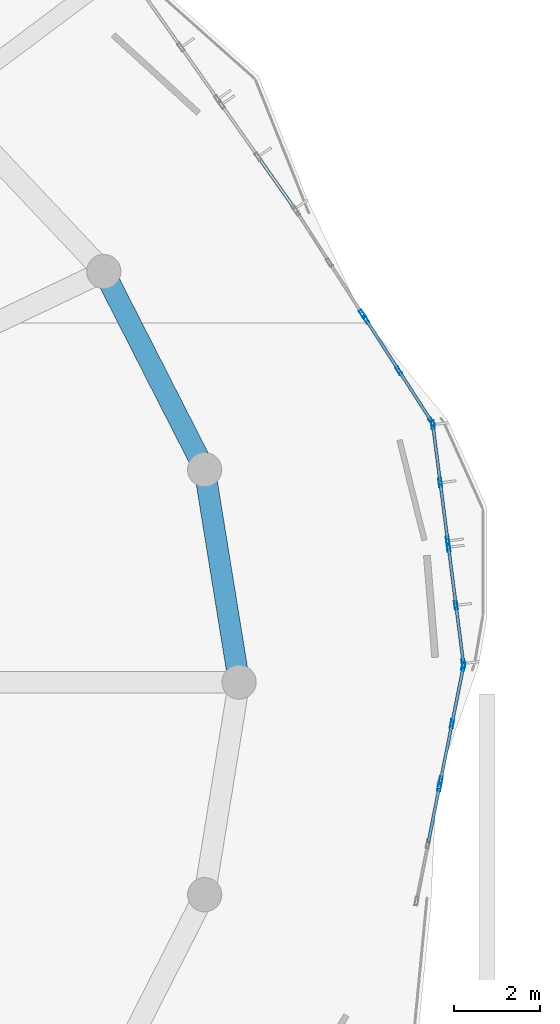
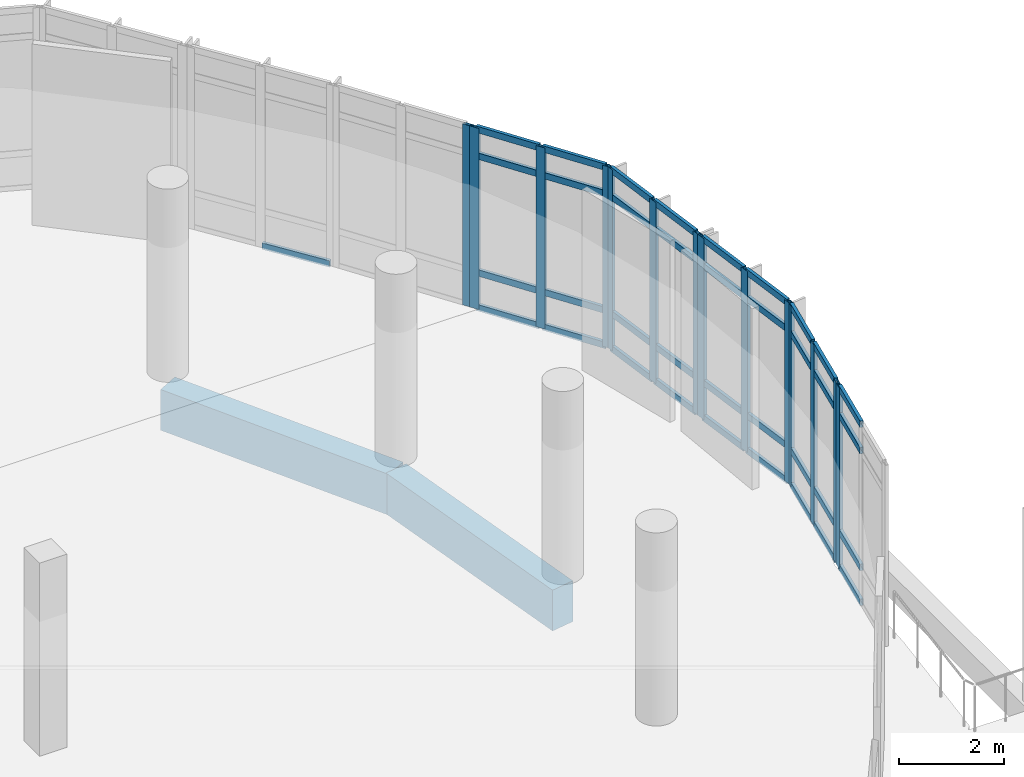
# One storey, part 15 of 46: 51 members, 2 beams, 7 elements without a shape of their own.
"""IFC4 building model written with IfcOpenShell, lengths in metres."""

import ifcopenshell
import ifcopenshell.guid

model = None  # the IFC model being written
_history = None  # IfcOwnerHistory: only IFC2X3 demands one
_inside = {}  # id of a spatial element -> (the spatial element, [elements in it])
_under = {}  # id of a project, library or spatial element -> (it, [spatial elements below it])
_declared = {}  # id of a project -> (the project, [libraries it declares])
_typed = {}  # id of a type object -> (the type object, [elements of that type])
_made_of = {}  # id of a material, layer set ... -> (it, [elements and type objects made of it])


def new_model(schema):
    """Start an empty IFC model of exactly this schema.

    Asked for "IFC4X3", IfcOpenShell would pick the latest addendum, in which some entities
    have other attributes; the version numbers below select the first issue.
    IFC2X3 requires an IfcOwnerHistory on every rooted entity: one is made here for all.
    """
    global model, _history
    if schema == "IFC4X3":
        model = ifcopenshell.file(schema_version=(4, 3, 0, 0))
    else:
        model = ifcopenshell.file(schema=schema)
    _inside.clear()
    _under.clear()
    _declared.clear()
    _typed.clear()
    _made_of.clear()
    _history = None
    if model.schema == "IFC2X3":
        org = make("IfcOrganization", Name="unknown")
        user = make(
            "IfcPersonAndOrganization",
            ThePerson=make("IfcPerson", FamilyName="unknown"),
            TheOrganization=org,
        )
        app = make(
            "IfcApplication",
            ApplicationDeveloper=org,
            Version="unknown",
            ApplicationFullName="unknown",
            ApplicationIdentifier="unknown",
        )
        _history = make(
            "IfcOwnerHistory",
            OwningUser=user,
            OwningApplication=app,
            ChangeAction="ADDED",
            CreationDate=0,
        )
    return model


def make(cls, **values):
    """One entity of the class cls with the attributes given. An attribute that is None is left unset."""
    return model.create_entity(
        cls, **{name: value for name, value in values.items() if value is not None}
    )


def rooted(cls, **values):
    """An entity with a GlobalId (a new one), such as an element, a storey or a relation."""
    return make(cls, GlobalId=ifcopenshell.guid.new(), OwnerHistory=_history, **values)


def si_unit(unit_type, name, prefix=None):
    """IfcSIUnit, for example si_unit("LENGTHUNIT", "METRE", prefix="MILLI")."""
    return make("IfcSIUnit", UnitType=unit_type, Prefix=prefix, Name=name)


def derived_unit(unit_type, elements):
    """IfcDerivedUnit: a product of units, each with its exponent."""
    return make(
        "IfcDerivedUnit",
        Elements=[
            make("IfcDerivedUnitElement", Unit=unit, Exponent=power)
            for unit, power in elements
        ],
        UnitType=unit_type,
    )


def assignment(units):
    """IfcUnitAssignment: the units of a project."""
    return None if units is None else make("IfcUnitAssignment", Units=units)


def point(xyz):
    """IfcCartesianPoint."""
    return None if xyz is None else make("IfcCartesianPoint", Coordinates=xyz)


def direction(xyz):
    """IfcDirection."""
    return None if xyz is None else make("IfcDirection", DirectionRatios=xyz)


def frame(location, z_axis=None, x_axis=None):
    """IfcAxis2Placement3D, a coordinate frame: its origin and axes. An axis left out is left unset."""
    return make(
        "IfcAxis2Placement3D",
        Location=point(location),
        Axis=direction(z_axis),
        RefDirection=direction(x_axis),
    )


def frame_2d(location, x_axis=None):
    """IfcAxis2Placement2D, a coordinate frame in the plane: its origin and x axis."""
    return make(
        "IfcAxis2Placement2D", Location=point(location), RefDirection=direction(x_axis)
    )


def origin():
    """The frame at (0, 0, 0) with its axes left unset."""
    return frame((0.0, 0.0, 0.0))


def origin_2d():
    """The frame at (0, 0) in the plane with its x axis left unset."""
    return frame_2d((0.0, 0.0))


def place(relative_to, where):
    """IfcLocalPlacement: puts the frame where relative to a parent placement (None: the world)."""
    return make(
        "IfcLocalPlacement", PlacementRelTo=relative_to, RelativePlacement=where
    )


def context(
    kind, dimensions, precision=None, world=None, true_north=None, identifier=None
):
    """IfcGeometricRepresentationContext, for example the 3D "Model" context."""
    return make(
        "IfcGeometricRepresentationContext",
        ContextIdentifier=identifier,
        ContextType=kind,
        CoordinateSpaceDimension=dimensions,
        Precision=precision,
        WorldCoordinateSystem=world,
        TrueNorth=true_north,
    )


def subcontext(parent, identifier, kind, view, scale=None):
    """IfcGeometricRepresentationSubContext, for example "Body" below "Model"."""
    return make(
        "IfcGeometricRepresentationSubContext",
        ContextIdentifier=identifier,
        ContextType=kind,
        ParentContext=parent,
        TargetScale=scale,
        TargetView=view,
    )


def project(units=None, contexts=None):
    """IfcProject with its units and contexts."""
    return rooted(
        "IfcProject",
        Name="project",
        RepresentationContexts=contexts,
        UnitsInContext=assignment(units),
    )


def spatial(cls, under=None, at=None, **own):
    """A site, building, storey or space (cls), placed at a placement, below another one or the project."""
    s = rooted(cls, ObjectPlacement=at, **own)
    if under is not None:
        _under.setdefault(under.id(), (under, []))[1].append(s)
    return s


def profile(cls, at=None, kind="AREA", **sizes):
    """A parametric profile (cls). Its sizes go by their IFC names, for example OverallWidth=200.0."""
    return make(cls, ProfileType=kind, Position=at, **sizes)


def rectangle(**sizes):
    """IfcRectangleProfileDef."""
    return profile("IfcRectangleProfileDef", **sizes)


def hollow_rectangle(**sizes):
    """IfcRectangleHollowProfileDef."""
    return profile("IfcRectangleHollowProfileDef", **sizes)


def extrude(swept, where, along, depth):
    """IfcExtrudedAreaSolid: the profile swept, set in the frame where, extruded along a direction by depth."""
    return make(
        "IfcExtrudedAreaSolid",
        SweptArea=swept,
        Position=where,
        ExtrudedDirection=direction(along),
        Depth=depth,
    )


def shape(context_of_items, identifier, shape_type, items):
    """IfcShapeRepresentation: the items that make up one representation, for example the "Body"."""
    return make(
        "IfcShapeRepresentation",
        ContextOfItems=context_of_items,
        RepresentationIdentifier=identifier,
        RepresentationType=shape_type,
        Items=items,
    )


def material(Name=None, Category=None):
    """IfcMaterial."""
    return make("IfcMaterial", Name=Name, Category=Category)


def layer(
    of_material, thickness, ventilated=None, Name=None, Category=None, Priority=None
):
    """IfcMaterialLayer: one layer of a wall or slab, of a material (None: an air gap)."""
    return make(
        "IfcMaterialLayer",
        Material=of_material,
        LayerThickness=thickness,
        IsVentilated=ventilated,
        Name=Name,
        Category=Category,
        Priority=Priority,
    )


def layer_set(layers, Name=None):
    """IfcMaterialLayerSet."""
    return make("IfcMaterialLayerSet", MaterialLayers=layers, LayerSetName=Name)


def material_profile(
    of_material, cross_section, Name=None, Category=None, Priority=None
):
    """IfcMaterialProfile: a cross section and its material."""
    return make(
        "IfcMaterialProfile",
        Name=Name,
        Material=of_material,
        Profile=cross_section,
        Priority=Priority,
        Category=Category,
    )


def profile_set(profiles, Name=None, composite=None):
    """IfcMaterialProfileSet."""
    return make(
        "IfcMaterialProfileSet",
        Name=Name,
        MaterialProfiles=profiles,
        CompositeProfile=composite,
    )


def made_of(thing, what):
    """Note that an element or type object is made of a material, layer set ...; save() writes the relation."""
    if what is not None:
        _made_of.setdefault(what.id(), (what, []))[1].append(thing)
    return thing


def type_object(cls, material=None, **own):
    """A type object (cls), such as IfcWallType, which elements share."""
    return made_of(rooted(cls, **own), material)


def element(
    cls,
    number,
    at=None,
    inside=None,
    cuts=None,
    type_object=None,
    material=None,
    context=None,
    identifier="Body",
    shape_type=None,
    held_by="IfcProductDefinitionShape",
    body=None,
    shapes=None,
    **own,
):
    """One element of the class cls, such as IfcWall. Its Tag is "e" and its number.

    at: its placement. inside: the storey or other place that contains it. cuts: it is an
    opening in that element (IfcRelVoidsElement). A single representation is given by context,
    identifier, shape_type and body (its items); several are given by shapes. held_by: the class
    of the entity that holds the representations. save() writes the other relations.
    """
    e = rooted(cls, Tag="e%d" % number, ObjectPlacement=at, **own)
    if body is not None:
        shapes = [shape(context, identifier, shape_type, body)]
    if shapes is not None:
        e.Representation = make(held_by, Representations=shapes)
    if inside is not None:
        _inside.setdefault(inside.id(), (inside, []))[1].append(e)
    if cuts is not None:
        rooted(
            "IfcRelVoidsElement", RelatingBuildingElement=cuts, RelatedOpeningElement=e
        )
    if type_object is not None:
        _typed.setdefault(type_object.id(), (type_object, []))[1].append(e)
    return made_of(e, material)


def aggregate(whole, parts):
    """IfcRelAggregates: a whole, such as a stair, and the parts it consists of."""
    return rooted("IfcRelAggregates", RelatingObject=whole, RelatedObjects=parts)


def save(model, path):
    """Write the relations noted so far, then the file.

    IfcRelAggregates (storeys below a building ...), IfcRelContainedInSpatialStructure (elements
    in a storey), IfcRelDefinesByType, IfcRelAssociatesMaterial and IfcRelDeclares: one each for
    every whole, place, type object, material and project.
    """
    for whole, parts in _under.values():
        aggregate(whole, parts)
    for where, things in _inside.values():
        rooted(
            "IfcRelContainedInSpatialStructure",
            RelatedElements=things,
            RelatingStructure=where,
        )
    for kind, things in _typed.values():
        rooted("IfcRelDefinesByType", RelatedObjects=things, RelatingType=kind)
    for what, things in _made_of.values():
        rooted("IfcRelAssociatesMaterial", RelatedObjects=things, RelatingMaterial=what)
    for by, libraries in _declared.values():
        rooted("IfcRelDeclares", RelatingContext=by, RelatedDefinitions=libraries)
    model.write(path)


model = new_model("IFC4")

# Units and contexts
model_context = context("Model", 3, precision=1e-05, world=origin(), true_north=direction((0.0, 1.0)))
body_context = subcontext(model_context, "Body", "Model", "MODEL_VIEW")
ifc_project = project(units=[si_unit("LENGTHUNIT", "METRE"), si_unit("AREAUNIT", "SQUARE_METRE"), si_unit("VOLUMEUNIT", "CUBIC_METRE"), si_unit("PLANEANGLEUNIT", "RADIAN"), si_unit("MASSUNIT", "GRAM", prefix="KILO"), derived_unit("THERMALTRANSMITTANCEUNIT", [(si_unit("POWERUNIT", "WATT"), 1), (si_unit("LENGTHUNIT", "METRE"), -2), (si_unit("THERMODYNAMICTEMPERATUREUNIT", "KELVIN"), -1)])], contexts=[model_context])

# Site, building, storey
site_placement = place(None, origin())
site = spatial("IfcSite", under=ifc_project, at=site_placement, CompositionType="ELEMENT")
building_placement = place(site_placement, origin())
building = spatial("IfcBuilding", under=site, at=building_placement, Name="Elbkamm Science Centre", CompositionType="ELEMENT")
storey_placement = place(building_placement, frame((0.0, 0.0, 9.89990234375)))
storey = spatial("IfcBuildingStorey", under=building, at=storey_placement, Name="L02", CompositionType="ELEMENT", Elevation=9.89990234375)

# Beams
ifc_material_1 = material(Name="Concrete C40/50", Category="concrete")
ifc_material_profile_1 = material_profile(ifc_material_1, rectangle(XDim=0.5, YDim=0.949951171875, at=origin_2d()), Name="RC 500x950")
ifc_profile_set_1 = profile_set([ifc_material_profile_1], Name="Concrete C40/50")
beam_type = type_object("IfcBeamType", Name="BM-RC-500x950", PredefinedType="BEAM", material=ifc_profile_set_1)
beam_1_placement = place(storey_placement, frame((86.60009765625, 67.199951171875, -0.77490234375), z_axis=(-0.15976460627, 0.987155140078, 0.0), x_axis=(-0.987155140078, -0.15976460627, 0.0)))
element("IfcBeam", 1, at=beam_1_placement, inside=storey, type_object=beam_type, Name="L02 Elliptical Shell Perimeter Ring Beam 01", PredefinedType="SPANDREL", context=body_context, shape_type="SweptSolid", body=[
    extrude(rectangle(XDim=0.5, YDim=0.949951171875, at=origin_2d()), origin(), (0.0, 0.0, 1.0), 5.03369140625),
])
beam_2_placement = place(storey_placement, frame((85.7958984375, 72.1689453125, -0.77490234375), z_axis=(-0.453722384609, 0.891143084866, 0.0), x_axis=(-0.891143084866, -0.453722384609, 0.0)))
element("IfcBeam", 2, at=beam_2_placement, inside=storey, type_object=beam_type, Name="L02 Elliptical Shell Perimeter Ring Beam 02", PredefinedType="SPANDREL", context=body_context, shape_type="SweptSolid", body=[
    extrude(rectangle(XDim=0.5, YDim=0.949951171875, at=origin_2d()), origin(), (0.0, 0.0, 1.0), 5.19677734375),
])

# Curtain wall, members
ifc_material_2 = material(Name="Powder-coated aluminium and triple low-E glazing", Category="aluminium")
ifc_layer_1 = layer(ifc_material_2, 0.159912109375)
ifc_layer_set_1 = layer_set([ifc_layer_1], Name="Powder-coated aluminium and triple low-E glazing")
curtain_wall_type_1 = type_object("IfcCurtainWallType", Name="CW-UNIT-2820x4220", PredefinedType="USERDEFINED", material=ifc_layer_set_1)
curtain_wall_1_placement = place(storey_placement, origin())
curtain_wall_1 = element("IfcCurtainWall", 3, at=curtain_wall_1_placement, inside=storey, type_object=curtain_wall_type_1, Name="L02 Unitised Curtain Wall 016", ObjectType="UNITISED CURTAIN WALL", PredefinedType="USERDEFINED")
ifc_material_3 = material(Name="Powder-coated aluminium EN AW-6060", Category="aluminium")
ifc_material_profile_2 = material_profile(ifc_material_3, hollow_rectangle(XDim=0.070068359375, YDim=0.199951171875, WallThickness=0.00439453125, at=origin_2d()), Name="ALU M70x200")
ifc_profile_set_2 = profile_set([ifc_material_profile_2], Name="Powder-coated aluminium EN AW-6060")
member_type_1 = type_object("IfcMemberType", Name="CW-MUL-70x200", PredefinedType="MULLION", material=ifc_profile_set_2)
member_1_placement = place(storey_placement, frame((91.845458984375, 67.634765625, 0.0), z_axis=(0.0, 0.0, 1.0), x_axis=(-0.991880398742, -0.127174189957, 0.0)))
member_1 = element("IfcMember", 4, at=member_1_placement, type_object=member_type_1, Name="CW-010 mullion 1", PredefinedType="MULLION", context=body_context, shape_type="SweptSolid", body=[
    extrude(hollow_rectangle(XDim=0.070068359375, YDim=0.199951171875, WallThickness=0.00439453125, at=origin_2d()), origin(), (0.0, 0.0, 1.0), 4.22021484375),
])
member_2_placement = place(storey_placement, frame((91.67138671875, 68.99365234375, 0.0), z_axis=(0.0, 0.0, 1.0), x_axis=(-0.991880398742, -0.127174189957, 0.0)))
member_2 = element("IfcMember", 5, at=member_2_placement, type_object=member_type_1, Name="CW-010 mullion 2", PredefinedType="MULLION", context=body_context, shape_type="SweptSolid", body=[
    extrude(hollow_rectangle(XDim=0.070068359375, YDim=0.199951171875, WallThickness=0.00439453125, at=origin_2d()), origin(), (0.0, 0.0, 1.0), 4.22021484375),
])
member_3_placement = place(storey_placement, frame((91.4970703125, 70.352783203125, 0.0), z_axis=(0.0, 0.0, 1.0), x_axis=(-0.991880398742, -0.127174189957, 0.0)))
member_3 = element("IfcMember", 6, at=member_3_placement, type_object=member_type_1, Name="CW-010 mullion 3", PredefinedType="MULLION", context=body_context, shape_type="SweptSolid", body=[
    extrude(hollow_rectangle(XDim=0.070068359375, YDim=0.199951171875, WallThickness=0.00439453125, at=origin_2d()), origin(), (0.0, 0.0, 1.0), 4.22021484375),
])

curtain_wall_2_placement = place(storey_placement, origin())
curtain_wall_2 = element("IfcCurtainWall", 7, at=curtain_wall_2_placement, inside=storey, type_object=curtain_wall_type_1, Name="L02 Unitised Curtain Wall 017", ObjectType="UNITISED CURTAIN WALL", PredefinedType="USERDEFINED")
member_4_placement = place(storey_placement, frame((91.47802734375, 70.50146484375, 0.0), z_axis=(0.0, 0.0, 1.0), x_axis=(-0.991880398742, -0.127174189957, 0.0)))
member_4 = element("IfcMember", 8, at=member_4_placement, type_object=member_type_1, Name="CW-010 mullion 1", PredefinedType="MULLION", context=body_context, shape_type="SweptSolid", body=[
    extrude(hollow_rectangle(XDim=0.070068359375, YDim=0.199951171875, WallThickness=0.00439453125, at=origin_2d()), origin(), (0.0, 0.0, 1.0), 4.22021484375),
])
member_5_placement = place(storey_placement, frame((91.3037109375, 71.860595703125, 0.0), z_axis=(0.0, 0.0, 1.0), x_axis=(-0.991880398742, -0.127174189957, 0.0)))
member_5 = element("IfcMember", 9, at=member_5_placement, type_object=member_type_1, Name="CW-010 mullion 2", PredefinedType="MULLION", context=body_context, shape_type="SweptSolid", body=[
    extrude(hollow_rectangle(XDim=0.070068359375, YDim=0.199951171875, WallThickness=0.00439453125, at=origin_2d()), origin(), (0.0, 0.0, 1.0), 4.22021484375),
])
member_6_placement = place(storey_placement, frame((91.129638671875, 73.219482421875, 0.0), z_axis=(0.0, 0.0, 1.0), x_axis=(-0.991880398742, -0.127174189957, 0.0)))
member_6 = element("IfcMember", 10, at=member_6_placement, type_object=member_type_1, Name="CW-010 mullion 3", PredefinedType="MULLION", context=body_context, shape_type="SweptSolid", body=[
    extrude(hollow_rectangle(XDim=0.070068359375, YDim=0.199951171875, WallThickness=0.00439453125, at=origin_2d()), origin(), (0.0, 0.0, 1.0), 4.22021484375),
])

ifc_layer_2 = layer(ifc_material_2, 0.159912109375)
ifc_layer_set_2 = layer_set([ifc_layer_2], Name="Powder-coated aluminium and triple low-E glazing")
curtain_wall_type_2 = type_object("IfcCurtainWallType", Name="CW-UNIT-2920x4220", PredefinedType="USERDEFINED", material=ifc_layer_set_2)
curtain_wall_3_placement = place(storey_placement, origin())
curtain_wall_3 = element("IfcCurtainWall", 11, at=curtain_wall_3_placement, inside=storey, type_object=curtain_wall_type_2, Name="L02 Unitised Curtain Wall 018", ObjectType="UNITISED CURTAIN WALL", PredefinedType="USERDEFINED")
member_7_placement = place(storey_placement, frame((91.106201171875, 73.28369140625, 0.0), z_axis=(0.0, 0.0, 1.0), x_axis=(-0.841210737524, -0.540707402459, 0.0)))
member_7 = element("IfcMember", 12, at=member_7_placement, type_object=member_type_1, Name="CW-011 mullion 1", PredefinedType="MULLION", context=body_context, shape_type="SweptSolid", body=[
    extrude(hollow_rectangle(XDim=0.070068359375, YDim=0.199951171875, WallThickness=0.00439453125, at=origin_2d()), origin(), (0.0, 0.0, 1.0), 4.22021484375),
])
member_8_placement = place(storey_placement, frame((90.33544921875, 74.482666015625, 0.0), z_axis=(0.0, 0.0, 1.0), x_axis=(-0.841210737524, -0.540707402459, 0.0)))
member_8 = element("IfcMember", 13, at=member_8_placement, type_object=member_type_1, Name="CW-011 mullion 2", PredefinedType="MULLION", context=body_context, shape_type="SweptSolid", body=[
    extrude(hollow_rectangle(XDim=0.070068359375, YDim=0.199951171875, WallThickness=0.00439453125, at=origin_2d()), origin(), (0.0, 0.0, 1.0), 4.22021484375),
])
member_9_placement = place(storey_placement, frame((89.56494140625, 75.681640625, 0.0), z_axis=(0.0, 0.0, 1.0), x_axis=(-0.841210737524, -0.540707402459, 0.0)))
member_9 = element("IfcMember", 14, at=member_9_placement, type_object=member_type_1, Name="CW-011 mullion 3", PredefinedType="MULLION", context=body_context, shape_type="SweptSolid", body=[
    extrude(hollow_rectangle(XDim=0.070068359375, YDim=0.199951171875, WallThickness=0.00439453125, at=origin_2d()), origin(), (0.0, 0.0, 1.0), 4.22021484375),
])

# Curtain wall, member
curtain_wall_4_placement = place(storey_placement, origin())
curtain_wall_4 = element("IfcCurtainWall", 15, at=curtain_wall_4_placement, inside=storey, type_object=curtain_wall_type_2, Name="L02 Unitised Curtain Wall 019", ObjectType="UNITISED CURTAIN WALL", PredefinedType="USERDEFINED")
member_10_placement = place(storey_placement, frame((89.48388671875, 75.807861328125, 0.0), z_axis=(0.0, 0.0, 1.0), x_axis=(-0.841210737524, -0.540707402459, 0.0)))
member_10 = element("IfcMember", 16, at=member_10_placement, type_object=member_type_1, Name="CW-011 mullion 1", PredefinedType="MULLION", context=body_context, shape_type="SweptSolid", body=[
    extrude(hollow_rectangle(XDim=0.070068359375, YDim=0.199951171875, WallThickness=0.00439453125, at=origin_2d()), origin(), (0.0, 0.0, 1.0), 4.22021484375),
])
aggregate(curtain_wall_4, [member_10])

ifc_layer_3 = layer(ifc_material_2, 0.159912109375)
ifc_layer_set_3 = layer_set([ifc_layer_3], Name="Powder-coated aluminium and triple low-E glazing")
curtain_wall_type_3 = type_object("IfcCurtainWallType", Name="CW-UNIT-2800x4220", PredefinedType="USERDEFINED", material=ifc_layer_set_3)
curtain_wall_5_placement = place(storey_placement, origin())
curtain_wall_5 = element("IfcCurtainWall", 17, at=curtain_wall_5_placement, inside=storey, type_object=curtain_wall_type_3, Name="L02 Unitised Curtain Wall 044", ObjectType="UNITISED CURTAIN WALL", PredefinedType="USERDEFINED")
member_11_placement = place(storey_placement, frame((91.282958984375, 64.750244140625, 0.0), z_axis=(0.0, 0.0, 1.0), x_axis=(-0.980773152728, 0.195151282054, 0.0)))
member_11 = element("IfcMember", 18, at=member_11_placement, type_object=member_type_1, Name="CW-019 mullion 3", PredefinedType="MULLION", context=body_context, shape_type="SweptSolid", body=[
    extrude(hollow_rectangle(XDim=0.070068359375, YDim=0.199951171875, WallThickness=0.00439453125, at=origin_2d()), origin(), (0.0, 0.0, 1.0), 4.22021484375),
])

# Curtain wall, members
curtain_wall_6_placement = place(storey_placement, origin())
curtain_wall_6 = element("IfcCurtainWall", 19, at=curtain_wall_6_placement, inside=storey, type_object=curtain_wall_type_3, Name="L02 Unitised Curtain Wall 045", ObjectType="UNITISED CURTAIN WALL", PredefinedType="USERDEFINED")
member_12_placement = place(storey_placement, frame((91.312255859375, 64.897216796875, 0.0), z_axis=(0.0, 0.0, 1.0), x_axis=(-0.980773152728, 0.195151282054, 0.0)))
member_12 = element("IfcMember", 20, at=member_12_placement, type_object=member_type_1, Name="CW-019 mullion 1", PredefinedType="MULLION", context=body_context, shape_type="SweptSolid", body=[
    extrude(hollow_rectangle(XDim=0.070068359375, YDim=0.199951171875, WallThickness=0.00439453125, at=origin_2d()), origin(), (0.0, 0.0, 1.0), 4.22021484375),
])
member_13_placement = place(storey_placement, frame((91.57763671875, 66.2314453125, 0.0), z_axis=(0.0, 0.0, 1.0), x_axis=(-0.980773152728, 0.195151282054, 0.0)))
member_13 = element("IfcMember", 21, at=member_13_placement, type_object=member_type_1, Name="CW-019 mullion 2", PredefinedType="MULLION", context=body_context, shape_type="SweptSolid", body=[
    extrude(hollow_rectangle(XDim=0.070068359375, YDim=0.199951171875, WallThickness=0.00439453125, at=origin_2d()), origin(), (0.0, 0.0, 1.0), 4.22021484375),
])
member_14_placement = place(storey_placement, frame((91.84326171875, 67.565673828125, 0.0), z_axis=(0.0, 0.0, 1.0), x_axis=(-0.980773152728, 0.195151282054, 0.0)))
member_14 = element("IfcMember", 22, at=member_14_placement, type_object=member_type_1, Name="CW-019 mullion 3", PredefinedType="MULLION", context=body_context, shape_type="SweptSolid", body=[
    extrude(hollow_rectangle(XDim=0.070068359375, YDim=0.199951171875, WallThickness=0.00439453125, at=origin_2d()), origin(), (0.0, 0.0, 1.0), 4.22021484375),
])

# Member
ifc_material_profile_3 = material_profile(ifc_material_3, hollow_rectangle(XDim=0.070068359375, YDim=0.14990234375, WallThickness=0.00390625, at=origin_2d()), Name="ALU T70x150")
ifc_profile_set_3 = profile_set([ifc_material_profile_3], Name="Powder-coated aluminium EN AW-6060")
member_type_2 = type_object("IfcMemberType", Name="CW-TRN-70x150", PredefinedType="USERDEFINED", material=ifc_profile_set_3)
member_15_placement = place(storey_placement, frame((91.841064453125, 67.66943359375, 0.03515625), z_axis=(-0.127131155764, 0.991885915433, 0.0), x_axis=(-0.991885915433, -0.127131155764, 0.0)))
member_15 = element("IfcMember", 23, at=member_15_placement, type_object=member_type_2, Name="CW-010 transom 1.1", ObjectType="TRANSOM", PredefinedType="USERDEFINED", context=body_context, shape_type="SweptSolid", body=[
    extrude(hollow_rectangle(XDim=0.070068359375, YDim=0.14990234375, WallThickness=0.00390625, at=origin_2d()), origin(), (0.0, 0.0, 1.0), 1.300048828125),
])

member_16_placement = place(storey_placement, frame((91.841064453125, 67.66943359375, 0.85009765625), z_axis=(-0.127131155764, 0.991885915433, 0.0), x_axis=(-0.991885915433, -0.127131155764, 0.0)))
member_16 = element("IfcMember", 24, at=member_16_placement, type_object=member_type_2, Name="CW-010 transom 1.2", ObjectType="TRANSOM", PredefinedType="USERDEFINED", context=body_context, shape_type="SweptSolid", body=[
    extrude(hollow_rectangle(XDim=0.070068359375, YDim=0.14990234375, WallThickness=0.00390625, at=origin_2d()), origin(), (0.0, 0.0, 1.0), 1.300048828125),
])

member_17_placement = place(storey_placement, frame((91.841064453125, 67.66943359375, 3.570068359375), z_axis=(-0.127131155764, 0.991885915433, 0.0), x_axis=(-0.991885915433, -0.127131155764, 0.0)))
member_17 = element("IfcMember", 25, at=member_17_placement, type_object=member_type_2, Name="CW-010 transom 1.3", ObjectType="TRANSOM", PredefinedType="USERDEFINED", context=body_context, shape_type="SweptSolid", body=[
    extrude(hollow_rectangle(XDim=0.070068359375, YDim=0.14990234375, WallThickness=0.00390625, at=origin_2d()), origin(), (0.0, 0.0, 1.0), 1.300048828125),
])

member_18_placement = place(storey_placement, frame((91.841064453125, 67.66943359375, 4.18505859375), z_axis=(-0.127131155764, 0.991885915433, 0.0), x_axis=(-0.991885915433, -0.127131155764, 0.0)))
member_18 = element("IfcMember", 26, at=member_18_placement, type_object=member_type_2, Name="CW-010 transom 1.4", ObjectType="TRANSOM", PredefinedType="USERDEFINED", context=body_context, shape_type="SweptSolid", body=[
    extrude(hollow_rectangle(XDim=0.070068359375, YDim=0.14990234375, WallThickness=0.00390625, at=origin_2d()), origin(), (0.0, 0.0, 1.0), 1.300048828125),
])

member_19_placement = place(storey_placement, frame((91.666748046875, 69.028564453125, 0.03515625), z_axis=(-0.127131155764, 0.991885915433, 0.0), x_axis=(-0.991885915433, -0.127131155764, 0.0)))
member_19 = element("IfcMember", 27, at=member_19_placement, type_object=member_type_2, Name="CW-010 transom 2.1", ObjectType="TRANSOM", PredefinedType="USERDEFINED", context=body_context, shape_type="SweptSolid", body=[
    extrude(hollow_rectangle(XDim=0.070068359375, YDim=0.14990234375, WallThickness=0.00390625, at=origin_2d()), origin(), (0.0, 0.0, 1.0), 1.300048828125),
])

member_20_placement = place(storey_placement, frame((91.666748046875, 69.028564453125, 0.85009765625), z_axis=(-0.127131155764, 0.991885915433, 0.0), x_axis=(-0.991885915433, -0.127131155764, 0.0)))
member_20 = element("IfcMember", 28, at=member_20_placement, type_object=member_type_2, Name="CW-010 transom 2.2", ObjectType="TRANSOM", PredefinedType="USERDEFINED", context=body_context, shape_type="SweptSolid", body=[
    extrude(hollow_rectangle(XDim=0.070068359375, YDim=0.14990234375, WallThickness=0.00390625, at=origin_2d()), origin(), (0.0, 0.0, 1.0), 1.300048828125),
])

member_21_placement = place(storey_placement, frame((91.666748046875, 69.028564453125, 3.570068359375), z_axis=(-0.127131155764, 0.991885915433, 0.0), x_axis=(-0.991885915433, -0.127131155764, 0.0)))
member_21 = element("IfcMember", 29, at=member_21_placement, type_object=member_type_2, Name="CW-010 transom 2.3", ObjectType="TRANSOM", PredefinedType="USERDEFINED", context=body_context, shape_type="SweptSolid", body=[
    extrude(hollow_rectangle(XDim=0.070068359375, YDim=0.14990234375, WallThickness=0.00390625, at=origin_2d()), origin(), (0.0, 0.0, 1.0), 1.300048828125),
])

member_22_placement = place(storey_placement, frame((91.666748046875, 69.028564453125, 4.18505859375), z_axis=(-0.127131155764, 0.991885915433, 0.0), x_axis=(-0.991885915433, -0.127131155764, 0.0)))
member_22 = element("IfcMember", 30, at=member_22_placement, type_object=member_type_2, Name="CW-010 transom 2.4", ObjectType="TRANSOM", PredefinedType="USERDEFINED", context=body_context, shape_type="SweptSolid", body=[
    extrude(hollow_rectangle(XDim=0.070068359375, YDim=0.14990234375, WallThickness=0.00390625, at=origin_2d()), origin(), (0.0, 0.0, 1.0), 1.300048828125),
])

aggregate(curtain_wall_1, [member_1, member_2, member_3, member_15, member_16, member_17, member_18, member_19, member_20, member_21, member_22])

member_23_placement = place(storey_placement, frame((91.4736328125, 70.5361328125, 0.03515625), z_axis=(-0.127107480392, 0.991888949645, 0.0), x_axis=(-0.991888949645, -0.127107480392, 0.0)))
member_23 = element("IfcMember", 31, at=member_23_placement, type_object=member_type_2, Name="CW-010 transom 1.1", ObjectType="TRANSOM", PredefinedType="USERDEFINED", context=body_context, shape_type="SweptSolid", body=[
    extrude(hollow_rectangle(XDim=0.070068359375, YDim=0.14990234375, WallThickness=0.00390625, at=origin_2d()), origin(), (0.0, 0.0, 1.0), 1.30029296875),
])

member_24_placement = place(storey_placement, frame((91.4736328125, 70.5361328125, 0.85009765625), z_axis=(-0.127107480392, 0.991888949645, 0.0), x_axis=(-0.991888949645, -0.127107480392, 0.0)))
member_24 = element("IfcMember", 32, at=member_24_placement, type_object=member_type_2, Name="CW-010 transom 1.2", ObjectType="TRANSOM", PredefinedType="USERDEFINED", context=body_context, shape_type="SweptSolid", body=[
    extrude(hollow_rectangle(XDim=0.070068359375, YDim=0.14990234375, WallThickness=0.00390625, at=origin_2d()), origin(), (0.0, 0.0, 1.0), 1.30029296875),
])

member_25_placement = place(storey_placement, frame((91.4736328125, 70.5361328125, 3.570068359375), z_axis=(-0.127107480392, 0.991888949645, 0.0), x_axis=(-0.991888949645, -0.127107480392, 0.0)))
member_25 = element("IfcMember", 33, at=member_25_placement, type_object=member_type_2, Name="CW-010 transom 1.3", ObjectType="TRANSOM", PredefinedType="USERDEFINED", context=body_context, shape_type="SweptSolid", body=[
    extrude(hollow_rectangle(XDim=0.070068359375, YDim=0.14990234375, WallThickness=0.00390625, at=origin_2d()), origin(), (0.0, 0.0, 1.0), 1.30029296875),
])

member_26_placement = place(storey_placement, frame((91.4736328125, 70.5361328125, 4.18505859375), z_axis=(-0.127107480392, 0.991888949645, 0.0), x_axis=(-0.991888949645, -0.127107480392, 0.0)))
member_26 = element("IfcMember", 34, at=member_26_placement, type_object=member_type_2, Name="CW-010 transom 1.4", ObjectType="TRANSOM", PredefinedType="USERDEFINED", context=body_context, shape_type="SweptSolid", body=[
    extrude(hollow_rectangle(XDim=0.070068359375, YDim=0.14990234375, WallThickness=0.00390625, at=origin_2d()), origin(), (0.0, 0.0, 1.0), 1.30029296875),
])

member_27_placement = place(storey_placement, frame((91.29931640625, 71.895263671875, 0.03515625), z_axis=(-0.127131155764, 0.991885915433, 0.0), x_axis=(-0.991885915433, -0.127131155764, 0.0)))
member_27 = element("IfcMember", 35, at=member_27_placement, type_object=member_type_2, Name="CW-010 transom 2.1", ObjectType="TRANSOM", PredefinedType="USERDEFINED", context=body_context, shape_type="SweptSolid", body=[
    extrude(hollow_rectangle(XDim=0.070068359375, YDim=0.14990234375, WallThickness=0.00390625, at=origin_2d()), origin(), (0.0, 0.0, 1.0), 1.300048828125),
])

member_28_placement = place(storey_placement, frame((91.29931640625, 71.895263671875, 0.85009765625), z_axis=(-0.127131155764, 0.991885915433, 0.0), x_axis=(-0.991885915433, -0.127131155764, 0.0)))
member_28 = element("IfcMember", 36, at=member_28_placement, type_object=member_type_2, Name="CW-010 transom 2.2", ObjectType="TRANSOM", PredefinedType="USERDEFINED", context=body_context, shape_type="SweptSolid", body=[
    extrude(hollow_rectangle(XDim=0.070068359375, YDim=0.14990234375, WallThickness=0.00390625, at=origin_2d()), origin(), (0.0, 0.0, 1.0), 1.300048828125),
])

member_29_placement = place(storey_placement, frame((91.29931640625, 71.895263671875, 3.570068359375), z_axis=(-0.127131155764, 0.991885915433, 0.0), x_axis=(-0.991885915433, -0.127131155764, 0.0)))
member_29 = element("IfcMember", 37, at=member_29_placement, type_object=member_type_2, Name="CW-010 transom 2.3", ObjectType="TRANSOM", PredefinedType="USERDEFINED", context=body_context, shape_type="SweptSolid", body=[
    extrude(hollow_rectangle(XDim=0.070068359375, YDim=0.14990234375, WallThickness=0.00390625, at=origin_2d()), origin(), (0.0, 0.0, 1.0), 1.300048828125),
])

member_30_placement = place(storey_placement, frame((91.29931640625, 71.895263671875, 4.18505859375), z_axis=(-0.127131155764, 0.991885915433, 0.0), x_axis=(-0.991885915433, -0.127131155764, 0.0)))
member_30 = element("IfcMember", 38, at=member_30_placement, type_object=member_type_2, Name="CW-010 transom 2.4", ObjectType="TRANSOM", PredefinedType="USERDEFINED", context=body_context, shape_type="SweptSolid", body=[
    extrude(hollow_rectangle(XDim=0.070068359375, YDim=0.14990234375, WallThickness=0.00390625, at=origin_2d()), origin(), (0.0, 0.0, 1.0), 1.300048828125),
])

aggregate(curtain_wall_2, [member_4, member_5, member_6, member_23, member_24, member_25, member_26, member_27, member_28, member_29, member_30])

member_31_placement = place(storey_placement, frame((91.087158203125, 73.313232421875, 0.03515625), z_axis=(-0.540693846873, 0.841219450532, 0.0), x_axis=(-0.841219450532, -0.540693846873, 0.0)))
member_31 = element("IfcMember", 39, at=member_31_placement, type_object=member_type_2, Name="CW-011 transom 1.1", ObjectType="TRANSOM", PredefinedType="USERDEFINED", context=body_context, shape_type="SweptSolid", body=[
    extrude(hollow_rectangle(XDim=0.070068359375, YDim=0.14990234375, WallThickness=0.00390625, at=origin_2d()), origin(), (0.0, 0.0, 1.0), 1.35498046875),
])

member_32_placement = place(storey_placement, frame((91.087158203125, 73.313232421875, 0.85009765625), z_axis=(-0.540693846873, 0.841219450532, 0.0), x_axis=(-0.841219450532, -0.540693846873, 0.0)))
member_32 = element("IfcMember", 40, at=member_32_placement, type_object=member_type_2, Name="CW-011 transom 1.2", ObjectType="TRANSOM", PredefinedType="USERDEFINED", context=body_context, shape_type="SweptSolid", body=[
    extrude(hollow_rectangle(XDim=0.070068359375, YDim=0.14990234375, WallThickness=0.00390625, at=origin_2d()), origin(), (0.0, 0.0, 1.0), 1.35498046875),
])

member_33_placement = place(storey_placement, frame((91.087158203125, 73.313232421875, 3.570068359375), z_axis=(-0.540693846873, 0.841219450532, 0.0), x_axis=(-0.841219450532, -0.540693846873, 0.0)))
member_33 = element("IfcMember", 41, at=member_33_placement, type_object=member_type_2, Name="CW-011 transom 1.3", ObjectType="TRANSOM", PredefinedType="USERDEFINED", context=body_context, shape_type="SweptSolid", body=[
    extrude(hollow_rectangle(XDim=0.070068359375, YDim=0.14990234375, WallThickness=0.00390625, at=origin_2d()), origin(), (0.0, 0.0, 1.0), 1.35498046875),
])

member_34_placement = place(storey_placement, frame((91.087158203125, 73.313232421875, 4.18505859375), z_axis=(-0.540693846873, 0.841219450532, 0.0), x_axis=(-0.841219450532, -0.540693846873, 0.0)))
member_34 = element("IfcMember", 42, at=member_34_placement, type_object=member_type_2, Name="CW-011 transom 1.4", ObjectType="TRANSOM", PredefinedType="USERDEFINED", context=body_context, shape_type="SweptSolid", body=[
    extrude(hollow_rectangle(XDim=0.070068359375, YDim=0.14990234375, WallThickness=0.00390625, at=origin_2d()), origin(), (0.0, 0.0, 1.0), 1.35498046875),
])

member_35_placement = place(storey_placement, frame((90.316650390625, 74.51220703125, 0.03515625), z_axis=(-0.54082132644, 0.841137499383, 0.0), x_axis=(-0.841137499383, -0.54082132644, 0.0)))
member_35 = element("IfcMember", 43, at=member_35_placement, type_object=member_type_2, Name="CW-011 transom 2.1", ObjectType="TRANSOM", PredefinedType="USERDEFINED", context=body_context, shape_type="SweptSolid", body=[
    extrude(hollow_rectangle(XDim=0.070068359375, YDim=0.14990234375, WallThickness=0.00390625, at=origin_2d()), origin(), (0.0, 0.0, 1.0), 1.355224609375),
])

member_36_placement = place(storey_placement, frame((90.316650390625, 74.51220703125, 0.85009765625), z_axis=(-0.54082132644, 0.841137499383, 0.0), x_axis=(-0.841137499383, -0.54082132644, 0.0)))
member_36 = element("IfcMember", 44, at=member_36_placement, type_object=member_type_2, Name="CW-011 transom 2.2", ObjectType="TRANSOM", PredefinedType="USERDEFINED", context=body_context, shape_type="SweptSolid", body=[
    extrude(hollow_rectangle(XDim=0.070068359375, YDim=0.14990234375, WallThickness=0.00390625, at=origin_2d()), origin(), (0.0, 0.0, 1.0), 1.355224609375),
])

member_37_placement = place(storey_placement, frame((90.316650390625, 74.51220703125, 3.570068359375), z_axis=(-0.54082132644, 0.841137499383, 0.0), x_axis=(-0.841137499383, -0.54082132644, 0.0)))
member_37 = element("IfcMember", 45, at=member_37_placement, type_object=member_type_2, Name="CW-011 transom 2.3", ObjectType="TRANSOM", PredefinedType="USERDEFINED", context=body_context, shape_type="SweptSolid", body=[
    extrude(hollow_rectangle(XDim=0.070068359375, YDim=0.14990234375, WallThickness=0.00390625, at=origin_2d()), origin(), (0.0, 0.0, 1.0), 1.355224609375),
])

member_38_placement = place(storey_placement, frame((90.316650390625, 74.51220703125, 4.18505859375), z_axis=(-0.54082132644, 0.841137499383, 0.0), x_axis=(-0.841137499383, -0.54082132644, 0.0)))
member_38 = element("IfcMember", 46, at=member_38_placement, type_object=member_type_2, Name="CW-011 transom 2.4", ObjectType="TRANSOM", PredefinedType="USERDEFINED", context=body_context, shape_type="SweptSolid", body=[
    extrude(hollow_rectangle(XDim=0.070068359375, YDim=0.14990234375, WallThickness=0.00390625, at=origin_2d()), origin(), (0.0, 0.0, 1.0), 1.355224609375),
])

aggregate(curtain_wall_3, [member_7, member_8, member_9, member_31, member_32, member_33, member_34, member_35, member_36, member_37, member_38])

# Curtain wall, member
ifc_layer_4 = layer(ifc_material_2, 0.159912109375)
ifc_layer_set_4 = layer_set([ifc_layer_4], Name="Powder-coated aluminium and triple low-E glazing")
curtain_wall_type_4 = type_object("IfcCurtainWallType", Name="CW-UNIT-3060x4220", PredefinedType="USERDEFINED", material=ifc_layer_set_4)
curtain_wall_7_placement = place(storey_placement, origin())
curtain_wall_7 = element("IfcCurtainWall", 47, at=curtain_wall_7_placement, inside=storey, type_object=curtain_wall_type_4, Name="L02 Unitised Curtain Wall 020", ObjectType="UNITISED CURTAIN WALL", PredefinedType="USERDEFINED")
member_39_placement = place(storey_placement, frame((87.88330078125, 78.292236328125, 0.03515625), z_axis=(-0.575629682216, 0.817710504367, 0.0), x_axis=(-0.817710504367, -0.575629682216, 0.0)))
member_39 = element("IfcMember", 48, at=member_39_placement, type_object=member_type_2, Name="CW-012 transom 1.1", ObjectType="TRANSOM", PredefinedType="USERDEFINED", context=body_context, shape_type="SweptSolid", body=[
    extrude(hollow_rectangle(XDim=0.070068359375, YDim=0.14990234375, WallThickness=0.00390625, at=origin_2d()), origin(), (0.0, 0.0, 1.0), 1.419921875),
])
aggregate(curtain_wall_7, [member_39])

# Member
member_40_placement = place(storey_placement, frame((91.024169921875, 63.450439453125, 0.03515625), z_axis=(0.195279111636, 0.980747708923, 0.0), x_axis=(-0.980747708923, 0.195279111636, 0.0)))
member_40 = element("IfcMember", 49, at=member_40_placement, type_object=member_type_2, Name="CW-019 transom 2.1", ObjectType="TRANSOM", PredefinedType="USERDEFINED", context=body_context, shape_type="SweptSolid", body=[
    extrude(hollow_rectangle(XDim=0.070068359375, YDim=0.14990234375, WallThickness=0.00390625, at=origin_2d()), origin(), (0.0, 0.0, 1.0), 1.290283203125),
])

member_41_placement = place(storey_placement, frame((91.024169921875, 63.450439453125, 0.85009765625), z_axis=(0.195279111636, 0.980747708923, 0.0), x_axis=(-0.980747708923, 0.195279111636, 0.0)))
member_41 = element("IfcMember", 50, at=member_41_placement, type_object=member_type_2, Name="CW-019 transom 2.2", ObjectType="TRANSOM", PredefinedType="USERDEFINED", context=body_context, shape_type="SweptSolid", body=[
    extrude(hollow_rectangle(XDim=0.070068359375, YDim=0.14990234375, WallThickness=0.00390625, at=origin_2d()), origin(), (0.0, 0.0, 1.0), 1.290283203125),
])

member_42_placement = place(storey_placement, frame((91.024169921875, 63.450439453125, 3.570068359375), z_axis=(0.195279111636, 0.980747708923, 0.0), x_axis=(-0.980747708923, 0.195279111636, 0.0)))
member_42 = element("IfcMember", 51, at=member_42_placement, type_object=member_type_2, Name="CW-019 transom 2.3", ObjectType="TRANSOM", PredefinedType="USERDEFINED", context=body_context, shape_type="SweptSolid", body=[
    extrude(hollow_rectangle(XDim=0.070068359375, YDim=0.14990234375, WallThickness=0.00390625, at=origin_2d()), origin(), (0.0, 0.0, 1.0), 1.290283203125),
])

member_43_placement = place(storey_placement, frame((91.024169921875, 63.450439453125, 4.18505859375), z_axis=(0.195279111636, 0.980747708923, 0.0), x_axis=(-0.980747708923, 0.195279111636, 0.0)))
member_43 = element("IfcMember", 52, at=member_43_placement, type_object=member_type_2, Name="CW-019 transom 2.4", ObjectType="TRANSOM", PredefinedType="USERDEFINED", context=body_context, shape_type="SweptSolid", body=[
    extrude(hollow_rectangle(XDim=0.070068359375, YDim=0.14990234375, WallThickness=0.00390625, at=origin_2d()), origin(), (0.0, 0.0, 1.0), 1.290283203125),
])

aggregate(curtain_wall_5, [member_11, member_40, member_41, member_42, member_43])

member_44_placement = place(storey_placement, frame((91.319091796875, 64.931640625, 0.03515625), z_axis=(0.195060891065, 0.980791134124, 0.0), x_axis=(-0.980791134124, 0.195060891065, 0.0)))
member_44 = element("IfcMember", 53, at=member_44_placement, type_object=member_type_2, Name="CW-019 transom 1.1", ObjectType="TRANSOM", PredefinedType="USERDEFINED", context=body_context, shape_type="SweptSolid", body=[
    extrude(hollow_rectangle(XDim=0.070068359375, YDim=0.14990234375, WallThickness=0.00390625, at=origin_2d()), origin(), (0.0, 0.0, 1.0), 1.29052734375),
])

member_45_placement = place(storey_placement, frame((91.319091796875, 64.931640625, 0.85009765625), z_axis=(0.195060891065, 0.980791134124, 0.0), x_axis=(-0.980791134124, 0.195060891065, 0.0)))
member_45 = element("IfcMember", 54, at=member_45_placement, type_object=member_type_2, Name="CW-019 transom 1.2", ObjectType="TRANSOM", PredefinedType="USERDEFINED", context=body_context, shape_type="SweptSolid", body=[
    extrude(hollow_rectangle(XDim=0.070068359375, YDim=0.14990234375, WallThickness=0.00390625, at=origin_2d()), origin(), (0.0, 0.0, 1.0), 1.29052734375),
])

member_46_placement = place(storey_placement, frame((91.319091796875, 64.931640625, 3.570068359375), z_axis=(0.195060891065, 0.980791134124, 0.0), x_axis=(-0.980791134124, 0.195060891065, 0.0)))
member_46 = element("IfcMember", 55, at=member_46_placement, type_object=member_type_2, Name="CW-019 transom 1.3", ObjectType="TRANSOM", PredefinedType="USERDEFINED", context=body_context, shape_type="SweptSolid", body=[
    extrude(hollow_rectangle(XDim=0.070068359375, YDim=0.14990234375, WallThickness=0.00390625, at=origin_2d()), origin(), (0.0, 0.0, 1.0), 1.29052734375),
])

member_47_placement = place(storey_placement, frame((91.319091796875, 64.931640625, 4.18505859375), z_axis=(0.195060891065, 0.980791134124, 0.0), x_axis=(-0.980791134124, 0.195060891065, 0.0)))
member_47 = element("IfcMember", 56, at=member_47_placement, type_object=member_type_2, Name="CW-019 transom 1.4", ObjectType="TRANSOM", PredefinedType="USERDEFINED", context=body_context, shape_type="SweptSolid", body=[
    extrude(hollow_rectangle(XDim=0.070068359375, YDim=0.14990234375, WallThickness=0.00390625, at=origin_2d()), origin(), (0.0, 0.0, 1.0), 1.29052734375),
])

member_48_placement = place(storey_placement, frame((91.58447265625, 66.265869140625, 0.03515625), z_axis=(0.195279111636, 0.980747708923, 0.0), x_axis=(-0.980747708923, 0.195279111636, 0.0)))
member_48 = element("IfcMember", 57, at=member_48_placement, type_object=member_type_2, Name="CW-019 transom 2.1", ObjectType="TRANSOM", PredefinedType="USERDEFINED", context=body_context, shape_type="SweptSolid", body=[
    extrude(hollow_rectangle(XDim=0.070068359375, YDim=0.14990234375, WallThickness=0.00390625, at=origin_2d()), origin(), (0.0, 0.0, 1.0), 1.290283203125),
])

member_49_placement = place(storey_placement, frame((91.58447265625, 66.265869140625, 0.85009765625), z_axis=(0.195279111636, 0.980747708923, 0.0), x_axis=(-0.980747708923, 0.195279111636, 0.0)))
member_49 = element("IfcMember", 58, at=member_49_placement, type_object=member_type_2, Name="CW-019 transom 2.2", ObjectType="TRANSOM", PredefinedType="USERDEFINED", context=body_context, shape_type="SweptSolid", body=[
    extrude(hollow_rectangle(XDim=0.070068359375, YDim=0.14990234375, WallThickness=0.00390625, at=origin_2d()), origin(), (0.0, 0.0, 1.0), 1.290283203125),
])

member_50_placement = place(storey_placement, frame((91.58447265625, 66.265869140625, 3.570068359375), z_axis=(0.195279111636, 0.980747708923, 0.0), x_axis=(-0.980747708923, 0.195279111636, 0.0)))
member_50 = element("IfcMember", 59, at=member_50_placement, type_object=member_type_2, Name="CW-019 transom 2.3", ObjectType="TRANSOM", PredefinedType="USERDEFINED", context=body_context, shape_type="SweptSolid", body=[
    extrude(hollow_rectangle(XDim=0.070068359375, YDim=0.14990234375, WallThickness=0.00390625, at=origin_2d()), origin(), (0.0, 0.0, 1.0), 1.290283203125),
])

member_51_placement = place(storey_placement, frame((91.58447265625, 66.265869140625, 4.18505859375), z_axis=(0.195279111636, 0.980747708923, 0.0), x_axis=(-0.980747708923, 0.195279111636, 0.0)))
member_51 = element("IfcMember", 60, at=member_51_placement, type_object=member_type_2, Name="CW-019 transom 2.4", ObjectType="TRANSOM", PredefinedType="USERDEFINED", context=body_context, shape_type="SweptSolid", body=[
    extrude(hollow_rectangle(XDim=0.070068359375, YDim=0.14990234375, WallThickness=0.00390625, at=origin_2d()), origin(), (0.0, 0.0, 1.0), 1.290283203125),
])

aggregate(curtain_wall_6, [member_12, member_13, member_14, member_44, member_45, member_46, member_47, member_48, member_49, member_50, member_51])

save(model, "model.ifc")
